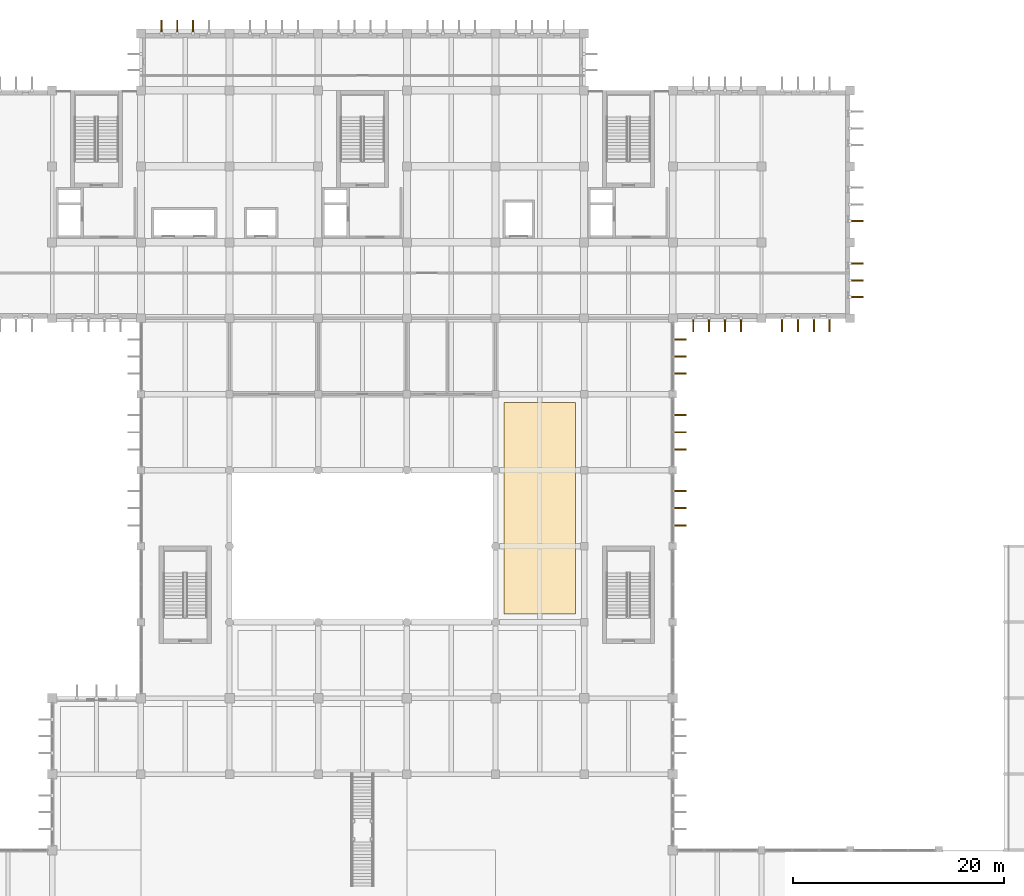
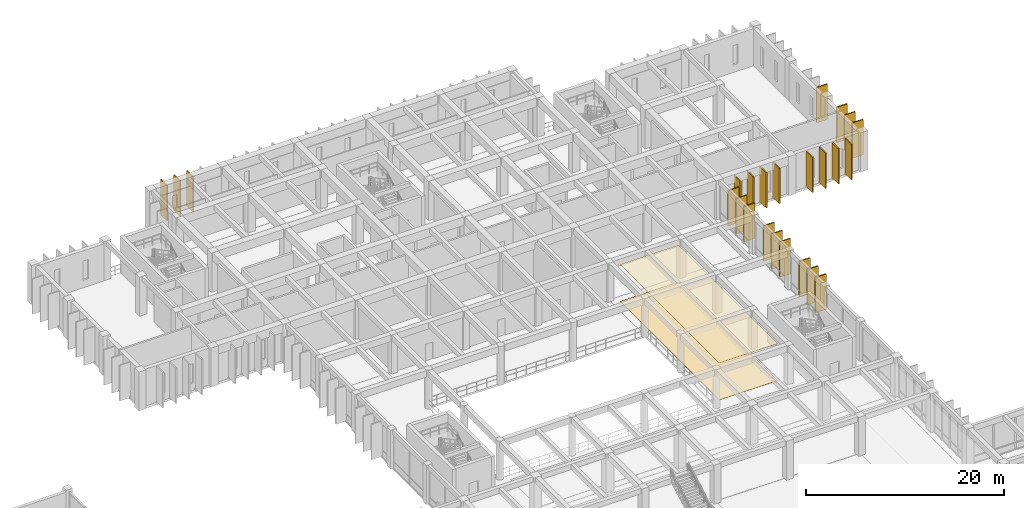
# One storey, part 49 of 51: 24 shading devices, 2 coverings.
"""IFC4 building model written with IfcOpenShell, lengths in metres."""

from ifc_helpers import new_model, si_unit, direction, frame, origin, origin_2d, place, context, subcontext, project, spatial, polyline, rectangle, outline, extrude, material, layer, layer_set, type_object, element, save


model = new_model("IFC4")

# Units and contexts
model_context = context("Model", 3, precision=1e-05, world=origin(), true_north=direction((0.0, 1.0)))
body_context = subcontext(model_context, "Body", "Model", "MODEL_VIEW")
ifc_project = project(units=[si_unit("LENGTHUNIT", "METRE"), si_unit("AREAUNIT", "SQUARE_METRE"), si_unit("VOLUMEUNIT", "CUBIC_METRE"), si_unit("PLANEANGLEUNIT", "RADIAN"), si_unit("MASSUNIT", "GRAM", prefix="KILO")], contexts=[model_context])

# Site, building, storey
site_placement = place(None, origin())
site = spatial("IfcSite", under=ifc_project, at=site_placement, CompositionType="ELEMENT")
building_placement = place(site_placement, origin())
building = spatial("IfcBuilding", under=site, at=building_placement, Name="Kenerak Square Central Library", CompositionType="ELEMENT")
storey_placement = place(building_placement, frame((0.0, 0.0, 9.60009765625)))
storey = spatial("IfcBuildingStorey", under=building, at=storey_placement, Name="L02", CompositionType="ELEMENT", Elevation=9.60009765625)

# Coverings
ifc_material_1 = material(Name="Chengal hardwood timber SG1", Category="wood")
ifc_layer_1 = layer(ifc_material_1, 0.044921875)
ifc_layer_set_1 = layer_set([ifc_layer_1], Name="Chengal hardwood timber SG1")
covering_type_1 = type_object("IfcCoveringType", Name="Perforated Chengal Acoustic Ceiling CV-CEIL", PredefinedType="CEILING", material=ifc_layer_set_1)
covering_1_placement = place(storey_placement, frame((0.0, 0.0, 4.52978515625)))
element("IfcCovering", 1, at=covering_1_placement, inside=storey, type_object=covering_type_1, Name="Acoustic Ceiling L02-13", PredefinedType="CEILING", context=body_context, shape_type="SweptSolid", body=[
    extrude(outline(polyline([(101.199951171875, 80.800048828125), (108.0, 80.800048828125), (108.0, 60.800048828125), (101.199951171875, 60.800048828125), (101.199951171875, 80.800048828125)])), origin(), (0.0, 0.0, 1.0), 0.045166015625),
])
ifc_material_2 = material(Name="Polished granite aggregate terrazzo", Category="masonry")
ifc_layer_2 = layer(ifc_material_2, 0.02490234375)
ifc_layer_set_2 = layer_set([ifc_layer_2], Name="Polished granite aggregate terrazzo")
covering_type_2 = type_object("IfcCoveringType", Name="Polished Terrazzo Reading Floor Finish CV-FLR", PredefinedType="FLOORING", material=ifc_layer_set_2)
covering_2_placement = place(storey_placement, origin())
element("IfcCovering", 2, at=covering_2_placement, inside=storey, type_object=covering_type_2, Name="Terrazzo Floor Finish L02-13", PredefinedType="FLOORING", context=body_context, shape_type="SweptSolid", body=[
    extrude(outline(polyline([(101.199951171875, 80.800048828125), (108.0, 80.800048828125), (108.0, 60.800048828125), (101.199951171875, 60.800048828125), (101.199951171875, 80.800048828125)])), origin(), (0.0, 0.0, 1.0), 0.02490234375),
])

# Shading devices
ifc_material_3 = material(Name="White precast concrete C40/50", Category="concrete")
shading_device_type = type_object("IfcShadingDeviceType", Name="Precast Vertical Solar Fin SF-1280 C40/50", PredefinedType="USERDEFINED", material=ifc_material_3)
for number, where, z_axis, x_axis, name in (
    (3, (68.735107421875, 116.419921875, 0.099853515625), (0.0, 0.0, 1.0), (1.0, 0.0, 0.0), "Precast Solar Fin FIN-01 L02 0112"),
    (4, (70.2451171875, 116.419921875, 0.099853515625), (0.0, 0.0, 1.0), (1.0, 0.0, 0.0), "Precast Solar Fin FIN-01 L02 0113"),
    (5, (71.7548828125, 116.419921875, 0.099853515625), (0.0, 0.0, 1.0), (1.0, 0.0, 0.0), "Precast Solar Fin FIN-01 L02 0114"),
    (6, (134.6201171875, 98.012451171875, 0.099853515625), (0.0, 0.0, 1.0), (0.0, -1.0, 0.0), "Precast Solar Fin FIN-01 L02 0147"),
    (7, (134.6201171875, 93.987548828125, 0.099853515625), (0.0, 0.0, 1.0), (0.0, -1.0, 0.0), "Precast Solar Fin FIN-01 L02 0148"),
    (8, (134.6201171875, 92.39990234375, 0.099853515625), (0.0, 0.0, 1.0), (0.0, -1.0, 0.0), "Precast Solar Fin FIN-01 L02 0149"),
    (9, (134.6201171875, 90.8125, 0.099853515625), (0.0, 0.0, 1.0), (0.0, -1.0, 0.0), "Precast Solar Fin FIN-01 L02 0150"),
    (10, (132.06494140625, 88.179931640625, 0.099853515625), (0.0, 0.0, 1.0), (-1.0, 0.0, 0.0), "Precast Solar Fin FIN-01 L02 0151"),
    (11, (130.554931640625, 88.179931640625, 0.099853515625), (0.0, 0.0, 1.0), (-1.0, 0.0, 0.0), "Precast Solar Fin FIN-01 L02 0152"),
    (12, (129.044921875, 88.179931640625, 0.099853515625), (0.0, 0.0, 1.0), (-1.0, 0.0, 0.0), "Precast Solar Fin FIN-01 L02 0153"),
    (13, (127.534912109375, 88.179931640625, 0.099853515625), (0.0, 0.0, 1.0), (-1.0, 0.0, 0.0), "Precast Solar Fin FIN-01 L02 0154"),
    (14, (123.6650390625, 88.179931640625, 0.099853515625), (0.0, 0.0, 1.0), (-1.0, 0.0, 0.0), "Precast Solar Fin FIN-01 L02 0155"),
    (15, (122.155029296875, 88.179931640625, 0.099853515625), (0.0, 0.0, 1.0), (-1.0, 0.0, 0.0), "Precast Solar Fin FIN-01 L02 0156"),
    (16, (120.64501953125, 88.179931640625, 0.099853515625), (0.0, 0.0, 1.0), (-1.0, 0.0, 0.0), "Precast Solar Fin FIN-01 L02 0157"),
    (17, (119.135009765625, 88.179931640625, 0.099853515625), (0.0, 0.0, 1.0), (-1.0, 0.0, 0.0), "Precast Solar Fin FIN-01 L02 0158"),
    (18, (117.820068359375, 86.768798828125, 0.099853515625), (0.0, 0.0, 1.0), (0.0, -1.0, 0.0), "Precast Solar Fin FIN-01 L02 0159"),
    (19, (117.820068359375, 85.16259765625, 0.099853515625), (0.0, 0.0, 1.0), (0.0, -1.0, 0.0), "Precast Solar Fin FIN-01 L02 0160"),
    (20, (117.820068359375, 83.556396484375, 0.099853515625), (0.0, 0.0, 1.0), (0.0, -1.0, 0.0), "Precast Solar Fin FIN-01 L02 0161"),
    (21, (117.820068359375, 79.625, 0.099853515625), (0.0, 0.0, 1.0), (0.0, -1.0, 0.0), "Precast Solar Fin FIN-01 L02 0162"),
    (22, (117.820068359375, 78.0, 0.099853515625), (0.0, 0.0, 1.0), (0.0, -1.0, 0.0), "Precast Solar Fin FIN-01 L02 0163"),
    (23, (117.820068359375, 76.375, 0.099853515625), (0.0, 0.0, 1.0), (0.0, -1.0, 0.0), "Precast Solar Fin FIN-01 L02 0164"),
    (24, (117.820068359375, 72.425048828125, 0.099853515625), (0.0, 0.0, 1.0), (0.0, -1.0, 0.0), "Precast Solar Fin FIN-01 L02 0165"),
    (25, (117.820068359375, 70.800048828125, 0.099853515625), (0.0, 0.0, 1.0), (0.0, -1.0, 0.0), "Precast Solar Fin FIN-01 L02 0166"),
    (26, (117.820068359375, 69.175048828125, 0.099853515625), (0.0, 0.0, 1.0), (0.0, -1.0, 0.0), "Precast Solar Fin FIN-01 L02 0167"),
):
    element("IfcShadingDevice", number, at=place(storey_placement, frame(where, z_axis=z_axis, x_axis=x_axis)), inside=storey, type_object=shading_device_type, Name=name, ObjectType="FIN", PredefinedType="USERDEFINED", context=body_context, shape_type="SweptSolid", body=[
        extrude(rectangle(XDim=0.139892578125, YDim=1.280029296875, at=origin_2d()), origin(), (0.0, 0.0, 1.0), 4.35009765625),
    ])

save(model, "model.ifc")
